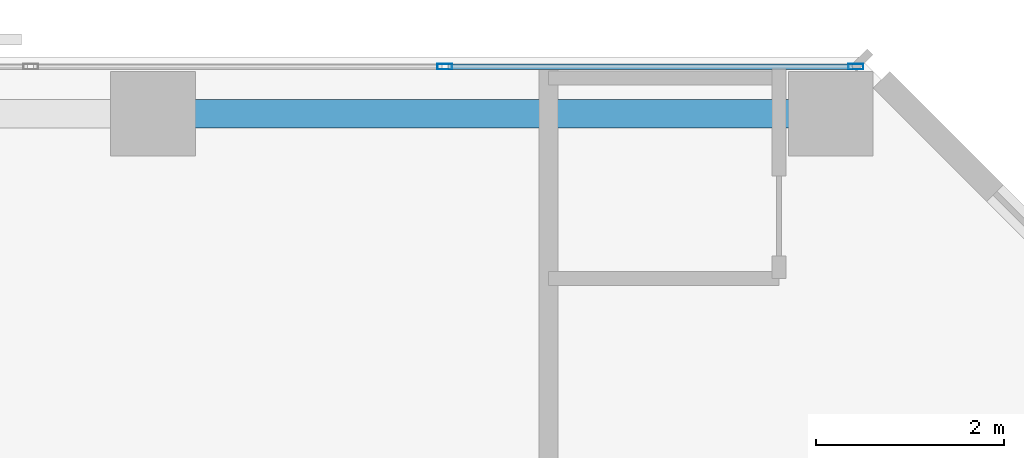
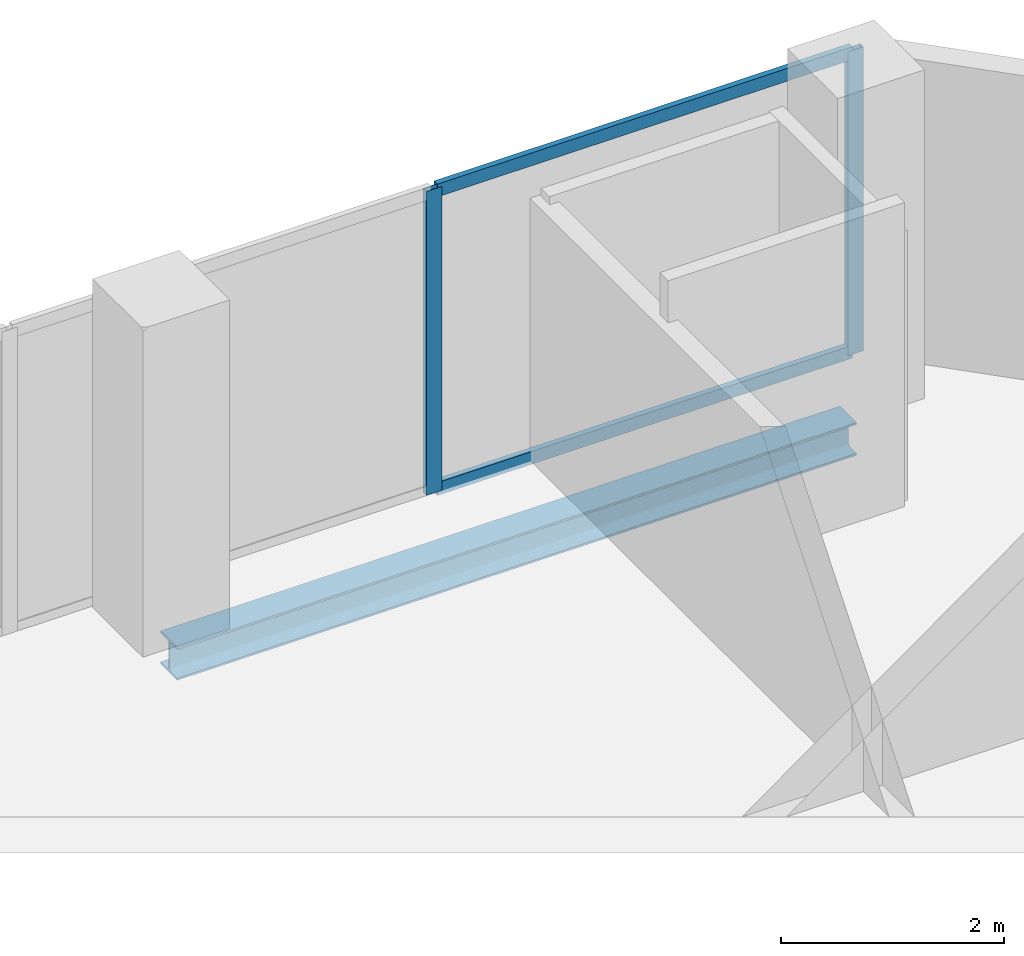
# One storey, part 25 of 33: 4 members, 1 beam, 1 element without a shape of its own.
"""IFC4 building model written with IfcOpenShell, lengths in metres."""

from ifc_helpers import new_model, si_unit, direction, frame, origin, origin_2d, place, context, subcontext, project, spatial, hollow_rectangle, i_section, extrude, material, layer, layer_set, material_profile, profile_set, type_object, element, aggregate, save


model = new_model("IFC4")

# Units and contexts
model_context = context("Model", 3, precision=1e-05, world=origin(), true_north=direction((0.0, 1.0)))
body_context = subcontext(model_context, "Body", "Model", "MODEL_VIEW")
ifc_project = project(units=[si_unit("LENGTHUNIT", "METRE"), si_unit("AREAUNIT", "SQUARE_METRE"), si_unit("VOLUMEUNIT", "CUBIC_METRE"), si_unit("PLANEANGLEUNIT", "RADIAN"), si_unit("MASSUNIT", "GRAM", prefix="KILO")], contexts=[model_context])

# Site, building, storey
site_placement = place(None, origin())
site = spatial("IfcSite", under=ifc_project, at=site_placement, CompositionType="ELEMENT")
building_placement = place(site_placement, origin())
building = spatial("IfcBuilding", under=site, at=building_placement, Name="Catumbela Crestline Tower", CompositionType="ELEMENT")
storey_placement = place(building_placement, frame((0.0, 0.0, 104.4)))
storey = spatial("IfcBuildingStorey", under=building, at=storey_placement, Name="L26", CompositionType="ELEMENT", Elevation=104.4)

# Curtain wall, members
ifc_material_1 = material(Name="Aluminium alloy AW-6060-T66", Category="aluminium")
ifc_layer = layer(ifc_material_1, 0.18, Name="Aluminium alloy AW-6060-T66")
ifc_layer_set = layer_set([ifc_layer], Name="Aluminium alloy AW-6060-T66")
curtain_wall_type = type_object("IfcCurtainWallType", Name="CWU-Z2", PredefinedType="USERDEFINED", material=ifc_layer_set)
curtain_wall_placement = place(storey_placement, origin())
curtain_wall = element("IfcCurtainWall", 1, at=curtain_wall_placement, inside=storey, type_object=curtain_wall_type, Name="L26 Unitised Curtain Wall CW-L26-E7S1", ObjectType="UNITISED", PredefinedType="USERDEFINED")
ifc_material_profile_1 = material_profile(ifc_material_1, hollow_rectangle(XDim=0.06, YDim=0.16, WallThickness=0.004, at=origin_2d()), Name="ALU 160x60x4")
ifc_profile_set_1 = profile_set([ifc_material_profile_1], Name="Aluminium alloy AW-6060-T66")
member_type_1 = type_object("IfcMemberType", Name="MUL-160X60", PredefinedType="MULLION", material=ifc_profile_set_1)
member_1_placement = place(storey_placement, frame((47.4675, 47.9, 0.0), z_axis=(0.0, 0.0, 1.0), x_axis=(0.0, -1.0, 0.0)))
member_1 = element("IfcMember", 2, at=member_1_placement, type_object=member_type_1, Name="CWU-Z2 mullion 1", PredefinedType="MULLION", context=body_context, shape_type="SweptSolid", body=[
    extrude(hollow_rectangle(XDim=0.06, YDim=0.16, WallThickness=0.004, at=origin_2d()), origin(), (0.0, 0.0, 1.0), 3.33),
])
member_2_placement = place(storey_placement, frame((43.1, 47.9, 0.0), z_axis=(0.0, 0.0, 1.0), x_axis=(0.0, -1.0, 0.0)))
member_2 = element("IfcMember", 3, at=member_2_placement, type_object=member_type_1, Name="CWU-Z2 mullion 2", PredefinedType="MULLION", context=body_context, shape_type="SweptSolid", body=[
    extrude(hollow_rectangle(XDim=0.06, YDim=0.16, WallThickness=0.004, at=origin_2d()), origin(), (0.0, 0.0, 1.0), 3.33),
])

# Beam
ifc_material_2 = material(Name="Structural steel S355J2", Category="steel")
ifc_material_profile_2 = material_profile(ifc_material_2, i_section(OverallWidth=0.3, OverallDepth=0.36, WebThickness=0.0125, FlangeThickness=0.0225, FilletRadius=0.027, at=origin_2d()), Name="HEB 360")
ifc_profile_set_2 = profile_set([ifc_material_profile_2], Name="Structural steel S355J2")
beam_type = type_object("IfcBeamType", Name="BS-HEB360", PredefinedType="SPANDREL", material=ifc_profile_set_2)
beam_placement = place(storey_placement, frame((40.08, 47.4, -0.44), z_axis=(1.0, 0.0, 0.0), x_axis=(0.0, 1.0, 0.0)))
element("IfcBeam", 4, at=beam_placement, inside=storey, type_object=beam_type, Name="L26 Spandrel SP-L26-NF21", PredefinedType="SPANDREL", context=body_context, shape_type="SweptSolid", body=[
    extrude(i_section(OverallWidth=0.3, OverallDepth=0.36, WebThickness=0.0125, FlangeThickness=0.0225, FilletRadius=0.027, at=origin_2d()), origin(), (0.0, 0.0, 1.0), 7.04),
])

# Member
ifc_material_profile_3 = material_profile(ifc_material_1, hollow_rectangle(XDim=0.06, YDim=0.14, WallThickness=0.004, at=origin_2d()), Name="ALU 140x60x4")
ifc_profile_set_3 = profile_set([ifc_material_profile_3], Name="Aluminium alloy AW-6060-T66")
member_type_2 = type_object("IfcMemberType", Name="TRN-140X60", PredefinedType="USERDEFINED", material=ifc_profile_set_3)
member_3_placement = place(storey_placement, frame((47.435, 47.9, 0.03), z_axis=(-1.0, 0.0, 0.0), x_axis=(0.0, -1.0, 0.0)))
member_3 = element("IfcMember", 5, at=member_3_placement, type_object=member_type_2, Name="CWU-Z2 transom 1.1", ObjectType="TRANSOM", PredefinedType="USERDEFINED", context=body_context, shape_type="SweptSolid", body=[
    extrude(hollow_rectangle(XDim=0.06, YDim=0.14, WallThickness=0.004, at=origin_2d()), origin(), (0.0, 0.0, 1.0), 4.3025),
])

member_4_placement = place(storey_placement, frame((47.435, 47.9, 3.3), z_axis=(-1.0, 0.0, 0.0), x_axis=(0.0, -1.0, 0.0)))
member_4 = element("IfcMember", 6, at=member_4_placement, type_object=member_type_2, Name="CWU-Z2 transom 1.2", ObjectType="TRANSOM", PredefinedType="USERDEFINED", context=body_context, shape_type="SweptSolid", body=[
    extrude(hollow_rectangle(XDim=0.06, YDim=0.14, WallThickness=0.004, at=origin_2d()), origin(), (0.0, 0.0, 1.0), 4.3025),
])

aggregate(curtain_wall, [member_1, member_2, member_3, member_4])

save(model, "model.ifc")
